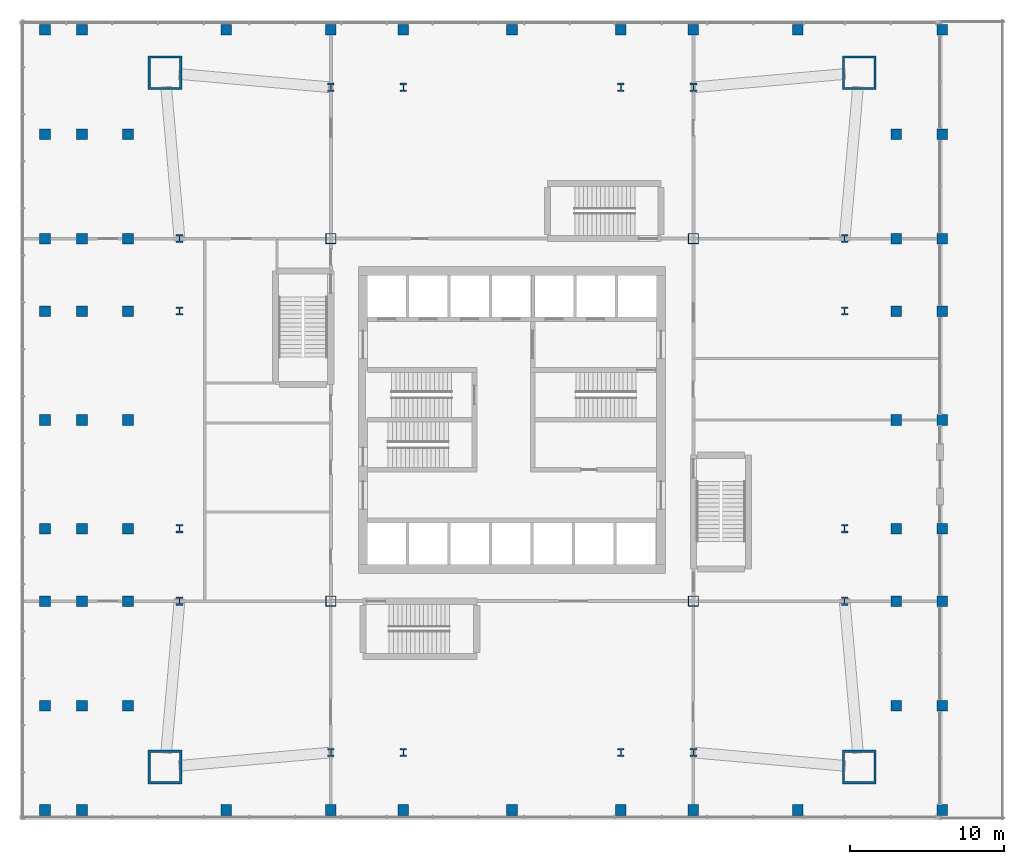
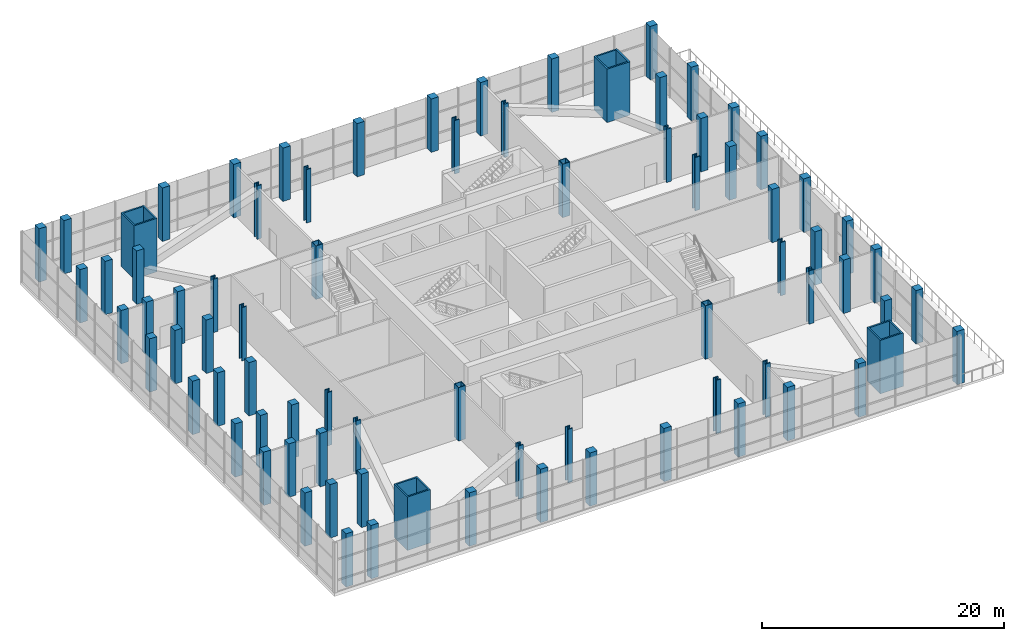
# One storey, part 1 of 17: 79 columns.
"""IFC4 building model written with IfcOpenShell, lengths in metres."""

from ifc_helpers import new_model, si_unit, direction, frame, origin, origin_2d, place, context, subcontext, project, spatial, rectangle, hollow_rectangle, i_section, extrude, material, material_profile, profile_set, type_object, element, save


model = new_model("IFC4")

# Units and contexts
model_context = context("Model", 3, precision=1e-05, world=origin(), true_north=direction((0.0, 1.0)))
body_context = subcontext(model_context, "Body", "Model", "MODEL_VIEW")
ifc_project = project(units=[si_unit("LENGTHUNIT", "METRE"), si_unit("AREAUNIT", "SQUARE_METRE"), si_unit("VOLUMEUNIT", "CUBIC_METRE"), si_unit("PLANEANGLEUNIT", "RADIAN"), si_unit("MASSUNIT", "GRAM", prefix="KILO")], contexts=[model_context])

# Site, building, storey
site_placement = place(None, origin())
site = spatial("IfcSite", under=ifc_project, at=site_placement, CompositionType="ELEMENT")
building_placement = place(site_placement, origin())
building = spatial("IfcBuilding", under=site, at=building_placement, Name="Turquesa Mirador Hotel Tower", CompositionType="ELEMENT")
storey_placement = place(building_placement, frame((0.0, 0.0, 5.60009765625)))
storey = spatial("IfcBuildingStorey", under=building, at=storey_placement, Name="L01", CompositionType="ELEMENT", Elevation=5.60009765625)

# Columns
ifc_material_1 = material(Name="Steel ASTM A572 Grade 50", Category="steel")
ifc_material_profile_1 = material_profile(ifc_material_1, hollow_rectangle(XDim=0.699951171875, YDim=0.699951171875, WallThickness=0.06005859375, at=origin_2d()), Name="BOX700X700X60")
ifc_profile_set_1 = profile_set([ifc_material_profile_1], Name="Steel ASTM A572 Grade 50")
column_type_1 = type_object("IfcColumnType", Name="COLUMN BOX700X700X60", PredefinedType="COLUMN", material=ifc_profile_set_1)
for number, where, z_axis, x_axis, name in (
    (1, (43.199951171875, 33.199951171875, 0.0), (0.0, 0.0, 1.0), (1.0, 0.0, 0.0), "COL-L01-K--11.80--11.80"),
    (2, (43.199951171875, 56.800048828125, 0.0), (0.0, 0.0, 1.0), (1.0, 0.0, 0.0), "COL-L01-K--11.80-+11.80"),
    (3, (66.800048828125, 33.199951171875, 0.0), (0.0, 0.0, 1.0), (1.0, 0.0, 0.0), "COL-L01-K-+11.80--11.80"),
    (4, (66.800048828125, 56.800048828125, 0.0), (0.0, 0.0, 1.0), (1.0, 0.0, 0.0), "COL-L01-K-+11.80-+11.80"),
):
    element("IfcColumn", number, at=place(storey_placement, frame(where, z_axis=z_axis, x_axis=x_axis)), inside=storey, type_object=column_type_1, Name=name, PredefinedType="COLUMN", context=body_context, shape_type="SweptSolid", body=[
        extrude(hollow_rectangle(XDim=0.699951171875, YDim=0.699951171875, WallThickness=0.06005859375, at=origin_2d()), origin(), (0.0, 0.0, 1.0), 5.39990234375),
    ])
ifc_material_2 = material(Name="Steel ASTM A992 Grade 50", Category="steel")
ifc_material_profile_2 = material_profile(ifc_material_2, i_section(OverallWidth=0.44189453125, OverallDepth=0.53076171875, WebThickness=0.06591796875, FlangeThickness=0.105712890625, at=origin_2d()), Name="W14X605")
ifc_profile_set_2 = profile_set([ifc_material_profile_2], Name="Steel ASTM A992 Grade 50")
column_type_2 = type_object("IfcColumnType", Name="COLUMN W14X605", PredefinedType="COLUMN", material=ifc_profile_set_2)
for number, where, z_axis, x_axis, name in (
    (5, (33.35009765625, 33.199951171875, 0.0), (0.0, 0.0, 1.0), (1.0, 0.0, 0.0), "COL-L01-P--21.65--11.80"),
    (6, (33.35009765625, 37.919921875, 0.0), (0.0, 0.0, 1.0), (1.0, 0.0, 0.0), "COL-L01-P--21.65--7.08"),
    (7, (33.35009765625, 52.080078125, 0.0), (0.0, 0.0, 1.0), (1.0, 0.0, 0.0), "COL-L01-P--21.65-+7.08"),
    (8, (33.35009765625, 56.800048828125, 0.0), (0.0, 0.0, 1.0), (1.0, 0.0, 0.0), "COL-L01-P--21.65-+11.80"),
    (9, (43.199951171875, 23.35009765625, 0.0), (0.0, 0.0, 1.0), (1.0, 0.0, 0.0), "COL-L01-P--11.80--21.65"),
    (10, (43.199951171875, 66.64990234375, 0.0), (0.0, 0.0, 1.0), (1.0, 0.0, 0.0), "COL-L01-P--11.80-+21.65"),
    (11, (47.919921875, 23.35009765625, 0.0), (0.0, 0.0, 1.0), (1.0, 0.0, 0.0), "COL-L01-P--7.08--21.65"),
    (12, (47.919921875, 66.64990234375, 0.0), (0.0, 0.0, 1.0), (1.0, 0.0, 0.0), "COL-L01-P--7.08-+21.65"),
    (13, (62.080078125, 23.35009765625, 0.0), (0.0, 0.0, 1.0), (1.0, 0.0, 0.0), "COL-L01-P-+7.08--21.65"),
    (14, (62.080078125, 66.64990234375, 0.0), (0.0, 0.0, 1.0), (1.0, 0.0, 0.0), "COL-L01-P-+7.08-+21.65"),
    (15, (66.800048828125, 23.35009765625, 0.0), (0.0, 0.0, 1.0), (1.0, 0.0, 0.0), "COL-L01-P-+11.80--21.65"),
    (16, (66.800048828125, 66.64990234375, 0.0), (0.0, 0.0, 1.0), (1.0, 0.0, 0.0), "COL-L01-P-+11.80-+21.65"),
    (17, (76.64990234375, 33.199951171875, 0.0), (0.0, 0.0, 1.0), (1.0, 0.0, 0.0), "COL-L01-P-+21.65--11.80"),
    (18, (76.64990234375, 37.919921875, 0.0), (0.0, 0.0, 1.0), (1.0, 0.0, 0.0), "COL-L01-P-+21.65--7.08"),
    (19, (76.64990234375, 52.080078125, 0.0), (0.0, 0.0, 1.0), (1.0, 0.0, 0.0), "COL-L01-P-+21.65-+7.08"),
    (20, (76.64990234375, 56.800048828125, 0.0), (0.0, 0.0, 1.0), (1.0, 0.0, 0.0), "COL-L01-P-+21.65-+11.80"),
):
    element("IfcColumn", number, at=place(storey_placement, frame(where, z_axis=z_axis, x_axis=x_axis)), inside=storey, type_object=column_type_2, Name=name, PredefinedType="COLUMN", context=body_context, shape_type="SweptSolid", body=[
        extrude(i_section(OverallWidth=0.44189453125, OverallDepth=0.53076171875, WebThickness=0.06591796875, FlangeThickness=0.105712890625, at=origin_2d()), origin(), (0.0, 0.0, 1.0), 5.39990234375),
    ])
ifc_material_3 = material(Name="Steel ASTM A514 Grade Q", Category="steel")
ifc_material_profile_3 = material_profile(ifc_material_3, hollow_rectangle(XDim=2.199951171875, YDim=2.199951171875, WallThickness=0.14990234375, at=origin_2d()), Name="BOX2200X2200X150")
ifc_profile_set_3 = profile_set([ifc_material_profile_3], Name="Steel ASTM A514 Grade Q")
column_type_3 = type_object("IfcColumnType", Name="MEGA COLUMN BOX2200X2200X150", PredefinedType="COLUMN", material=ifc_profile_set_3)
for number, where, z_axis, x_axis, name in (
    (21, (77.60009765625, 67.60009765625, 0.0), (0.0, 0.0, 1.0), (1.0, 0.0, 0.0), "Mega column M1"),
    (22, (32.39990234375, 67.60009765625, 0.0), (0.0, 0.0, 1.0), (1.0, 0.0, 0.0), "Mega column M2"),
    (23, (32.39990234375, 22.39990234375, 0.0), (0.0, 0.0, 1.0), (1.0, 0.0, 0.0), "Mega column M3"),
    (24, (77.60009765625, 22.39990234375, 0.0), (0.0, 0.0, 1.0), (1.0, 0.0, 0.0), "Mega column M4"),
):
    element("IfcColumn", number, at=place(storey_placement, frame(where, z_axis=z_axis, x_axis=x_axis)), inside=storey, type_object=column_type_3, Name=name, PredefinedType="COLUMN", context=body_context, shape_type="SweptSolid", body=[
        extrude(hollow_rectangle(XDim=2.199951171875, YDim=2.199951171875, WallThickness=0.14990234375, at=origin_2d()), origin(), (0.0, 0.0, 1.0), 5.39990234375),
    ])
ifc_material_4 = material(Name="Concrete C50/60", Category="concrete")
ifc_material_profile_4 = material_profile(ifc_material_4, rectangle(XDim=0.699951171875, YDim=0.699951171875, at=origin_2d()), Name="RC 700X700")
ifc_profile_set_4 = profile_set([ifc_material_profile_4], Name="Concrete C50/60")
column_type_4 = type_object("IfcColumnType", Name="PODIUM COLUMN 700X700", PredefinedType="COLUMN", material=ifc_profile_set_4)
for number, where, z_axis, x_axis, name in (
    (25, (24.60009765625, 19.60009765625, 0.0), (0.0, 0.0, 1.0), (1.0, 0.0, 0.0), "PCOL-L01--30.40--25.40"),
    (26, (24.60009765625, 26.39990234375, 0.0), (0.0, 0.0, 1.0), (1.0, 0.0, 0.0), "PCOL-L01--30.40--18.60"),
    (27, (24.60009765625, 33.199951171875, 0.0), (0.0, 0.0, 1.0), (1.0, 0.0, 0.0), "PCOL-L01--30.40--11.80"),
    (28, (24.60009765625, 37.919921875, 0.0), (0.0, 0.0, 1.0), (1.0, 0.0, 0.0), "PCOL-L01--30.40--7.08"),
    (29, (24.60009765625, 45.0, 0.0), (0.0, 0.0, 1.0), (1.0, 0.0, 0.0), "PCOL-L01--30.40-+0.00"),
    (30, (24.60009765625, 52.080078125, 0.0), (0.0, 0.0, 1.0), (1.0, 0.0, 0.0), "PCOL-L01--30.40-+7.08"),
    (31, (24.60009765625, 56.800048828125, 0.0), (0.0, 0.0, 1.0), (1.0, 0.0, 0.0), "PCOL-L01--30.40-+11.80"),
    (32, (24.60009765625, 63.60009765625, 0.0), (0.0, 0.0, 1.0), (1.0, 0.0, 0.0), "PCOL-L01--30.40-+18.60"),
    (33, (24.60009765625, 70.39990234375, 0.0), (0.0, 0.0, 1.0), (1.0, 0.0, 0.0), "PCOL-L01--30.40-+25.40"),
    (34, (27.0, 19.60009765625, 0.0), (0.0, 0.0, 1.0), (1.0, 0.0, 0.0), "PCOL-L01--28.00--25.40"),
    (35, (27.0, 26.39990234375, 0.0), (0.0, 0.0, 1.0), (1.0, 0.0, 0.0), "PCOL-L01--28.00--18.60"),
    (36, (27.0, 33.199951171875, 0.0), (0.0, 0.0, 1.0), (1.0, 0.0, 0.0), "PCOL-L01--28.00--11.80"),
    (37, (27.0, 37.919921875, 0.0), (0.0, 0.0, 1.0), (1.0, 0.0, 0.0), "PCOL-L01--28.00--7.08"),
    (38, (27.0, 45.0, 0.0), (0.0, 0.0, 1.0), (1.0, 0.0, 0.0), "PCOL-L01--28.00-+0.00"),
    (39, (27.0, 52.080078125, 0.0), (0.0, 0.0, 1.0), (1.0, 0.0, 0.0), "PCOL-L01--28.00-+7.08"),
    (40, (27.0, 56.800048828125, 0.0), (0.0, 0.0, 1.0), (1.0, 0.0, 0.0), "PCOL-L01--28.00-+11.80"),
    (41, (27.0, 63.60009765625, 0.0), (0.0, 0.0, 1.0), (1.0, 0.0, 0.0), "PCOL-L01--28.00-+18.60"),
    (42, (27.0, 70.39990234375, 0.0), (0.0, 0.0, 1.0), (1.0, 0.0, 0.0), "PCOL-L01--28.00-+25.40"),
    (43, (30.0, 26.39990234375, 0.0), (0.0, 0.0, 1.0), (1.0, 0.0, 0.0), "PCOL-L01--25.00--18.60"),
    (44, (30.0, 33.199951171875, 0.0), (0.0, 0.0, 1.0), (1.0, 0.0, 0.0), "PCOL-L01--25.00--11.80"),
    (45, (30.0, 37.919921875, 0.0), (0.0, 0.0, 1.0), (1.0, 0.0, 0.0), "PCOL-L01--25.00--7.08"),
    (46, (30.0, 45.0, 0.0), (0.0, 0.0, 1.0), (1.0, 0.0, 0.0), "PCOL-L01--25.00-+0.00"),
    (47, (30.0, 52.080078125, 0.0), (0.0, 0.0, 1.0), (1.0, 0.0, 0.0), "PCOL-L01--25.00-+7.08"),
    (48, (30.0, 56.800048828125, 0.0), (0.0, 0.0, 1.0), (1.0, 0.0, 0.0), "PCOL-L01--25.00-+11.80"),
    (49, (30.0, 63.60009765625, 0.0), (0.0, 0.0, 1.0), (1.0, 0.0, 0.0), "PCOL-L01--25.00-+18.60"),
    (50, (36.39990234375, 19.60009765625, 0.0), (0.0, 0.0, 1.0), (1.0, 0.0, 0.0), "PCOL-L01--18.60--25.40"),
    (51, (36.39990234375, 70.39990234375, 0.0), (0.0, 0.0, 1.0), (1.0, 0.0, 0.0), "PCOL-L01--18.60-+25.40"),
    (52, (43.199951171875, 19.60009765625, 0.0), (0.0, 0.0, 1.0), (1.0, 0.0, 0.0), "PCOL-L01--11.80--25.40"),
    (53, (43.199951171875, 70.39990234375, 0.0), (0.0, 0.0, 1.0), (1.0, 0.0, 0.0), "PCOL-L01--11.80-+25.40"),
    (54, (47.919921875, 19.60009765625, 0.0), (0.0, 0.0, 1.0), (1.0, 0.0, 0.0), "PCOL-L01--7.08--25.40"),
    (55, (47.919921875, 70.39990234375, 0.0), (0.0, 0.0, 1.0), (1.0, 0.0, 0.0), "PCOL-L01--7.08-+25.40"),
    (56, (55.0, 19.60009765625, 0.0), (0.0, 0.0, 1.0), (1.0, 0.0, 0.0), "PCOL-L01-+0.00--25.40"),
    (57, (55.0, 70.39990234375, 0.0), (0.0, 0.0, 1.0), (1.0, 0.0, 0.0), "PCOL-L01-+0.00-+25.40"),
    (58, (62.080078125, 19.60009765625, 0.0), (0.0, 0.0, 1.0), (1.0, 0.0, 0.0), "PCOL-L01-+7.08--25.40"),
    (59, (62.080078125, 70.39990234375, 0.0), (0.0, 0.0, 1.0), (1.0, 0.0, 0.0), "PCOL-L01-+7.08-+25.40"),
    (60, (66.800048828125, 19.60009765625, 0.0), (0.0, 0.0, 1.0), (1.0, 0.0, 0.0), "PCOL-L01-+11.80--25.40"),
    (61, (66.800048828125, 70.39990234375, 0.0), (0.0, 0.0, 1.0), (1.0, 0.0, 0.0), "PCOL-L01-+11.80-+25.40"),
    (62, (73.60009765625, 19.60009765625, 0.0), (0.0, 0.0, 1.0), (1.0, 0.0, 0.0), "PCOL-L01-+18.60--25.40"),
    (63, (73.60009765625, 70.39990234375, 0.0), (0.0, 0.0, 1.0), (1.0, 0.0, 0.0), "PCOL-L01-+18.60-+25.40"),
    (64, (80.0, 26.39990234375, 0.0), (0.0, 0.0, 1.0), (1.0, 0.0, 0.0), "PCOL-L01-+25.00--18.60"),
    (65, (80.0, 33.199951171875, 0.0), (0.0, 0.0, 1.0), (1.0, 0.0, 0.0), "PCOL-L01-+25.00--11.80"),
    (66, (80.0, 37.919921875, 0.0), (0.0, 0.0, 1.0), (1.0, 0.0, 0.0), "PCOL-L01-+25.00--7.08"),
    (67, (80.0, 45.0, 0.0), (0.0, 0.0, 1.0), (1.0, 0.0, 0.0), "PCOL-L01-+25.00-+0.00"),
    (68, (80.0, 52.080078125, 0.0), (0.0, 0.0, 1.0), (1.0, 0.0, 0.0), "PCOL-L01-+25.00-+7.08"),
    (69, (80.0, 56.800048828125, 0.0), (0.0, 0.0, 1.0), (1.0, 0.0, 0.0), "PCOL-L01-+25.00-+11.80"),
    (70, (80.0, 63.60009765625, 0.0), (0.0, 0.0, 1.0), (1.0, 0.0, 0.0), "PCOL-L01-+25.00-+18.60"),
    (71, (83.0, 19.60009765625, 0.0), (0.0, 0.0, 1.0), (1.0, 0.0, 0.0), "PCOL-L01-+28.00--25.40"),
    (72, (83.0, 26.39990234375, 0.0), (0.0, 0.0, 1.0), (1.0, 0.0, 0.0), "PCOL-L01-+28.00--18.60"),
    (73, (83.0, 33.199951171875, 0.0), (0.0, 0.0, 1.0), (1.0, 0.0, 0.0), "PCOL-L01-+28.00--11.80"),
    (74, (83.0, 37.919921875, 0.0), (0.0, 0.0, 1.0), (1.0, 0.0, 0.0), "PCOL-L01-+28.00--7.08"),
    (75, (83.0, 45.0, 0.0), (0.0, 0.0, 1.0), (1.0, 0.0, 0.0), "PCOL-L01-+28.00-+0.00"),
    (76, (83.0, 52.080078125, 0.0), (0.0, 0.0, 1.0), (1.0, 0.0, 0.0), "PCOL-L01-+28.00-+7.08"),
    (77, (83.0, 56.800048828125, 0.0), (0.0, 0.0, 1.0), (1.0, 0.0, 0.0), "PCOL-L01-+28.00-+11.80"),
    (78, (83.0, 63.60009765625, 0.0), (0.0, 0.0, 1.0), (1.0, 0.0, 0.0), "PCOL-L01-+28.00-+18.60"),
    (79, (83.0, 70.39990234375, 0.0), (0.0, 0.0, 1.0), (1.0, 0.0, 0.0), "PCOL-L01-+28.00-+25.40"),
):
    element("IfcColumn", number, at=place(storey_placement, frame(where, z_axis=z_axis, x_axis=x_axis)), inside=storey, type_object=column_type_4, Name=name, PredefinedType="COLUMN", context=body_context, shape_type="SweptSolid", body=[
        extrude(rectangle(XDim=0.699951171875, YDim=0.699951171875, at=origin_2d()), origin(), (0.0, 0.0, 1.0), 5.39990234375),
    ])

save(model, "model.ifc")
